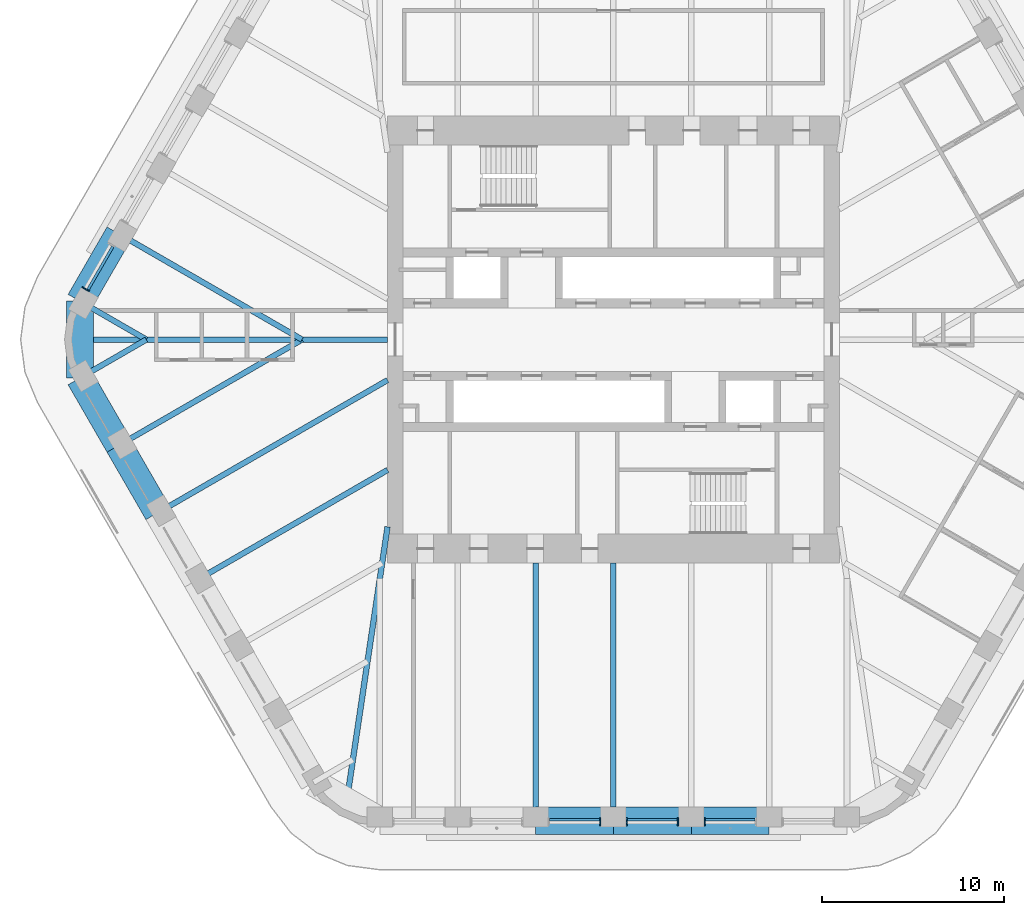
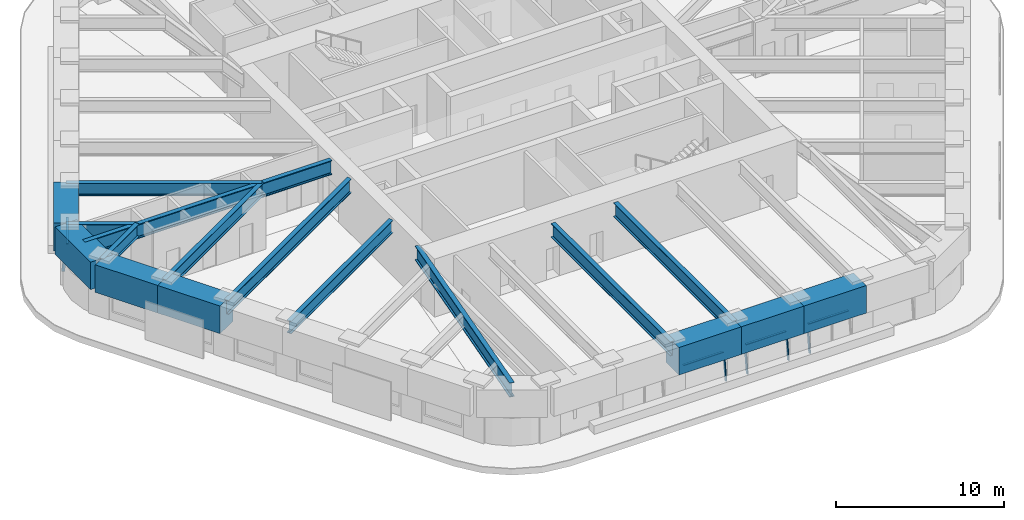
# One storey, part 3 of 18: 17 beams, 9 members, 4 elements without a shape of their own.
"""IFC4 building model written with IfcOpenShell, lengths in metres."""

import ifcopenshell
import ifcopenshell.guid

model = None  # the IFC model being written
_history = None  # IfcOwnerHistory: only IFC2X3 demands one
_inside = {}  # id of a spatial element -> (the spatial element, [elements in it])
_under = {}  # id of a project, library or spatial element -> (it, [spatial elements below it])
_declared = {}  # id of a project -> (the project, [libraries it declares])
_typed = {}  # id of a type object -> (the type object, [elements of that type])
_made_of = {}  # id of a material, layer set ... -> (it, [elements and type objects made of it])


def new_model(schema):
    """Start an empty IFC model of exactly this schema.

    Asked for "IFC4X3", IfcOpenShell would pick the latest addendum, in which some entities
    have other attributes; the version numbers below select the first issue.
    IFC2X3 requires an IfcOwnerHistory on every rooted entity: one is made here for all.
    """
    global model, _history
    if schema == "IFC4X3":
        model = ifcopenshell.file(schema_version=(4, 3, 0, 0))
    else:
        model = ifcopenshell.file(schema=schema)
    _inside.clear()
    _under.clear()
    _declared.clear()
    _typed.clear()
    _made_of.clear()
    _history = None
    if model.schema == "IFC2X3":
        org = make("IfcOrganization", Name="unknown")
        user = make(
            "IfcPersonAndOrganization",
            ThePerson=make("IfcPerson", FamilyName="unknown"),
            TheOrganization=org,
        )
        app = make(
            "IfcApplication",
            ApplicationDeveloper=org,
            Version="unknown",
            ApplicationFullName="unknown",
            ApplicationIdentifier="unknown",
        )
        _history = make(
            "IfcOwnerHistory",
            OwningUser=user,
            OwningApplication=app,
            ChangeAction="ADDED",
            CreationDate=0,
        )
    return model


def make(cls, **values):
    """One entity of the class cls with the attributes given. An attribute that is None is left unset."""
    return model.create_entity(
        cls, **{name: value for name, value in values.items() if value is not None}
    )


def rooted(cls, **values):
    """An entity with a GlobalId (a new one), such as an element, a storey or a relation."""
    return make(cls, GlobalId=ifcopenshell.guid.new(), OwnerHistory=_history, **values)


def si_unit(unit_type, name, prefix=None):
    """IfcSIUnit, for example si_unit("LENGTHUNIT", "METRE", prefix="MILLI")."""
    return make("IfcSIUnit", UnitType=unit_type, Prefix=prefix, Name=name)


def assignment(units):
    """IfcUnitAssignment: the units of a project."""
    return None if units is None else make("IfcUnitAssignment", Units=units)


def point(xyz):
    """IfcCartesianPoint."""
    return None if xyz is None else make("IfcCartesianPoint", Coordinates=xyz)


def direction(xyz):
    """IfcDirection."""
    return None if xyz is None else make("IfcDirection", DirectionRatios=xyz)


def frame(location, z_axis=None, x_axis=None):
    """IfcAxis2Placement3D, a coordinate frame: its origin and axes. An axis left out is left unset."""
    return make(
        "IfcAxis2Placement3D",
        Location=point(location),
        Axis=direction(z_axis),
        RefDirection=direction(x_axis),
    )


def frame_2d(location, x_axis=None):
    """IfcAxis2Placement2D, a coordinate frame in the plane: its origin and x axis."""
    return make(
        "IfcAxis2Placement2D", Location=point(location), RefDirection=direction(x_axis)
    )


def origin():
    """The frame at (0, 0, 0) with its axes left unset."""
    return frame((0.0, 0.0, 0.0))


def origin_2d():
    """The frame at (0, 0) in the plane with its x axis left unset."""
    return frame_2d((0.0, 0.0))


def place(relative_to, where):
    """IfcLocalPlacement: puts the frame where relative to a parent placement (None: the world)."""
    return make(
        "IfcLocalPlacement", PlacementRelTo=relative_to, RelativePlacement=where
    )


def context(
    kind, dimensions, precision=None, world=None, true_north=None, identifier=None
):
    """IfcGeometricRepresentationContext, for example the 3D "Model" context."""
    return make(
        "IfcGeometricRepresentationContext",
        ContextIdentifier=identifier,
        ContextType=kind,
        CoordinateSpaceDimension=dimensions,
        Precision=precision,
        WorldCoordinateSystem=world,
        TrueNorth=true_north,
    )


def subcontext(parent, identifier, kind, view, scale=None):
    """IfcGeometricRepresentationSubContext, for example "Body" below "Model"."""
    return make(
        "IfcGeometricRepresentationSubContext",
        ContextIdentifier=identifier,
        ContextType=kind,
        ParentContext=parent,
        TargetScale=scale,
        TargetView=view,
    )


def project(units=None, contexts=None):
    """IfcProject with its units and contexts."""
    return rooted(
        "IfcProject",
        Name="project",
        RepresentationContexts=contexts,
        UnitsInContext=assignment(units),
    )


def spatial(cls, under=None, at=None, **own):
    """A site, building, storey or space (cls), placed at a placement, below another one or the project."""
    s = rooted(cls, ObjectPlacement=at, **own)
    if under is not None:
        _under.setdefault(under.id(), (under, []))[1].append(s)
    return s


def profile(cls, at=None, kind="AREA", **sizes):
    """A parametric profile (cls). Its sizes go by their IFC names, for example OverallWidth=200.0."""
    return make(cls, ProfileType=kind, Position=at, **sizes)


def rectangle(**sizes):
    """IfcRectangleProfileDef."""
    return profile("IfcRectangleProfileDef", **sizes)


def i_section(**sizes):
    """IfcIShapeProfileDef."""
    return profile("IfcIShapeProfileDef", **sizes)


def extrude(swept, where, along, depth):
    """IfcExtrudedAreaSolid: the profile swept, set in the frame where, extruded along a direction by depth."""
    return make(
        "IfcExtrudedAreaSolid",
        SweptArea=swept,
        Position=where,
        ExtrudedDirection=direction(along),
        Depth=depth,
    )


def shape(context_of_items, identifier, shape_type, items):
    """IfcShapeRepresentation: the items that make up one representation, for example the "Body"."""
    return make(
        "IfcShapeRepresentation",
        ContextOfItems=context_of_items,
        RepresentationIdentifier=identifier,
        RepresentationType=shape_type,
        Items=items,
    )


def material(Name=None, Category=None):
    """IfcMaterial."""
    return make("IfcMaterial", Name=Name, Category=Category)


def material_profile(
    of_material, cross_section, Name=None, Category=None, Priority=None
):
    """IfcMaterialProfile: a cross section and its material."""
    return make(
        "IfcMaterialProfile",
        Name=Name,
        Material=of_material,
        Profile=cross_section,
        Priority=Priority,
        Category=Category,
    )


def profile_set(profiles, Name=None, composite=None):
    """IfcMaterialProfileSet."""
    return make(
        "IfcMaterialProfileSet",
        Name=Name,
        MaterialProfiles=profiles,
        CompositeProfile=composite,
    )


def made_of(thing, what):
    """Note that an element or type object is made of a material, layer set ...; save() writes the relation."""
    if what is not None:
        _made_of.setdefault(what.id(), (what, []))[1].append(thing)
    return thing


def type_object(cls, material=None, **own):
    """A type object (cls), such as IfcWallType, which elements share."""
    return made_of(rooted(cls, **own), material)


def element(
    cls,
    number,
    at=None,
    inside=None,
    cuts=None,
    type_object=None,
    material=None,
    context=None,
    identifier="Body",
    shape_type=None,
    held_by="IfcProductDefinitionShape",
    body=None,
    shapes=None,
    **own,
):
    """One element of the class cls, such as IfcWall. Its Tag is "e" and its number.

    at: its placement. inside: the storey or other place that contains it. cuts: it is an
    opening in that element (IfcRelVoidsElement). A single representation is given by context,
    identifier, shape_type and body (its items); several are given by shapes. held_by: the class
    of the entity that holds the representations. save() writes the other relations.
    """
    e = rooted(cls, Tag="e%d" % number, ObjectPlacement=at, **own)
    if body is not None:
        shapes = [shape(context, identifier, shape_type, body)]
    if shapes is not None:
        e.Representation = make(held_by, Representations=shapes)
    if inside is not None:
        _inside.setdefault(inside.id(), (inside, []))[1].append(e)
    if cuts is not None:
        rooted(
            "IfcRelVoidsElement", RelatingBuildingElement=cuts, RelatedOpeningElement=e
        )
    if type_object is not None:
        _typed.setdefault(type_object.id(), (type_object, []))[1].append(e)
    return made_of(e, material)


def aggregate(whole, parts):
    """IfcRelAggregates: a whole, such as a stair, and the parts it consists of."""
    return rooted("IfcRelAggregates", RelatingObject=whole, RelatedObjects=parts)


def save(model, path):
    """Write the relations noted so far, then the file.

    IfcRelAggregates (storeys below a building ...), IfcRelContainedInSpatialStructure (elements
    in a storey), IfcRelDefinesByType, IfcRelAssociatesMaterial and IfcRelDeclares: one each for
    every whole, place, type object, material and project.
    """
    for whole, parts in _under.values():
        aggregate(whole, parts)
    for where, things in _inside.values():
        rooted(
            "IfcRelContainedInSpatialStructure",
            RelatedElements=things,
            RelatingStructure=where,
        )
    for kind, things in _typed.values():
        rooted("IfcRelDefinesByType", RelatedObjects=things, RelatingType=kind)
    for what, things in _made_of.values():
        rooted("IfcRelAssociatesMaterial", RelatedObjects=things, RelatingMaterial=what)
    for by, libraries in _declared.values():
        rooted("IfcRelDeclares", RelatingContext=by, RelatedDefinitions=libraries)
    model.write(path)


model = new_model("IFC4")

# Units and contexts
model_context = context("Model", 3, precision=1e-05, world=origin(), true_north=direction((0.0, 1.0)))
body_context = subcontext(model_context, "Body", "Model", "MODEL_VIEW")
ifc_project = project(units=[si_unit("LENGTHUNIT", "METRE"), si_unit("AREAUNIT", "SQUARE_METRE"), si_unit("VOLUMEUNIT", "CUBIC_METRE"), si_unit("PLANEANGLEUNIT", "RADIAN"), si_unit("MASSUNIT", "GRAM", prefix="KILO")], contexts=[model_context])

# Site, building, storey
site_placement = place(None, origin())
site = spatial("IfcSite", under=ifc_project, at=site_placement, CompositionType="ELEMENT")
building_placement = place(site_placement, origin())
building = spatial("IfcBuilding", under=site, at=building_placement, Name="Tarfa Lantern Tower", CompositionType="ELEMENT")
storey_placement = place(building_placement, frame((0.0, 0.0, 319.89990234375)))
storey = spatial("IfcBuildingStorey", under=building, at=storey_placement, Name="L72", CompositionType="ELEMENT", Elevation=319.89990234375)

# Curtain wall, member
ifc_material_1 = material(Name="Aluminium framed curtain wall", Category="aluminium")
curtain_wall_type = type_object("IfcCurtainWallType", Name="CW4 CANTED GLAZING EXECUTIVE ZONE 2000", PredefinedType="USERDEFINED", material=ifc_material_1)
curtain_wall_1_placement = place(storey_placement, origin())
curtain_wall_1 = element("IfcCurtainWall", 1, at=curtain_wall_1_placement, inside=storey, type_object=curtain_wall_type, Name="CW4 NW L72", ObjectType="CURTAIN WALL", PredefinedType="USERDEFINED")
ifc_material_2 = material(Name="Aluminium mullion", Category="aluminium")
ifc_material_profile_1 = material_profile(ifc_material_2, rectangle(XDim=0.06494140625, YDim=0.199951171875, at=origin_2d()), Name="AL MULLION 65x200")
ifc_profile_set_1 = profile_set([ifc_material_profile_1], Name="Aluminium mullion")
member_type_1 = type_object("IfcMemberType", Name="CWM1 MULLION 65x200", PredefinedType="MULLION", material=ifc_profile_set_1)
member_1_placement = place(storey_placement, frame((-29.13623046875, 2.83447265625, 0.0), z_axis=(0.107320246625, -0.062018020623, 0.992288329964), x_axis=(0.500342721131, 0.865827443207, 0.0)))
member_1 = element("IfcMember", 2, at=member_1_placement, type_object=member_type_1, Name="CW4 mullion 2", PredefinedType="MULLION", context=body_context, shape_type="SweptSolid", body=[
    extrude(rectangle(XDim=0.06494140625, YDim=0.199951171875, at=origin_2d()), origin(), (0.0, 0.0, 1.0), 2.015625),
])

curtain_wall_2_placement = place(storey_placement, origin())
curtain_wall_2 = element("IfcCurtainWall", 3, at=curtain_wall_2_placement, inside=storey, type_object=curtain_wall_type, Name="CW4 S L72", ObjectType="CURTAIN WALL", PredefinedType="USERDEFINED")
member_2_placement = place(storey_placement, frame((-0.732421875, -26.64990234375, 0.0), z_axis=(0.0, 0.124034734589, 0.992277876714), x_axis=(-1.0, 0.0, 0.0)))
member_2 = element("IfcMember", 4, at=member_2_placement, type_object=member_type_1, Name="CW4 mullion 2", PredefinedType="MULLION", context=body_context, shape_type="SweptSolid", body=[
    extrude(rectangle(XDim=0.06494140625, YDim=0.199951171875, at=origin_2d()), origin(), (0.0, 0.0, 1.0), 2.015625),
])

# Curtain wall, members
curtain_wall_3_placement = place(storey_placement, origin())
curtain_wall_3 = element("IfcCurtainWall", 5, at=curtain_wall_3_placement, inside=storey, type_object=curtain_wall_type, Name="CW4 S L72", ObjectType="CURTAIN WALL", PredefinedType="USERDEFINED")
member_3_placement = place(storey_placement, frame((0.732421875, -26.64990234375, 0.0), z_axis=(0.0, 0.124034734589, 0.992277876714), x_axis=(-1.0, 0.0, 0.0)))
member_3 = element("IfcMember", 6, at=member_3_placement, type_object=member_type_1, Name="CW4 mullion 1", PredefinedType="MULLION", context=body_context, shape_type="SweptSolid", body=[
    extrude(rectangle(XDim=0.06494140625, YDim=0.199951171875, at=origin_2d()), origin(), (0.0, 0.0, 1.0), 2.015625),
])
member_4_placement = place(storey_placement, frame((3.549560546875, -26.64990234375, 0.0), z_axis=(0.0, 0.124034734589, 0.992277876714), x_axis=(-1.0, 0.0, 0.0)))
member_4 = element("IfcMember", 7, at=member_4_placement, type_object=member_type_1, Name="CW4 mullion 2", PredefinedType="MULLION", context=body_context, shape_type="SweptSolid", body=[
    extrude(rectangle(XDim=0.06494140625, YDim=0.199951171875, at=origin_2d()), origin(), (0.0, 0.0, 1.0), 2.015625),
])

# Curtain wall, member
curtain_wall_4_placement = place(storey_placement, origin())
curtain_wall_4 = element("IfcCurtainWall", 8, at=curtain_wall_4_placement, inside=storey, type_object=curtain_wall_type, Name="CW4 S L72", ObjectType="CURTAIN WALL", PredefinedType="USERDEFINED")
member_5_placement = place(storey_placement, frame((5.014404296875, -26.64990234375, 0.0), z_axis=(0.0, 0.124034734589, 0.992277876714), x_axis=(-1.0, 0.0, 0.0)))
member_5 = element("IfcMember", 9, at=member_5_placement, type_object=member_type_1, Name="CW4 mullion 1", PredefinedType="MULLION", context=body_context, shape_type="SweptSolid", body=[
    extrude(rectangle(XDim=0.06494140625, YDim=0.199951171875, at=origin_2d()), origin(), (0.0, 0.0, 1.0), 2.015625),
])

# Member
ifc_material_3 = material(Name="Aluminium transom", Category="aluminium")
ifc_material_profile_2 = material_profile(ifc_material_3, rectangle(XDim=0.14990234375, YDim=0.06494140625, at=origin_2d()), Name="AL TRANSOM 150x65")
ifc_profile_set_2 = profile_set([ifc_material_profile_2], Name="Aluminium transom")
member_type_2 = type_object("IfcMemberType", Name="CWT1 TRANSOM 150x65", PredefinedType="USERDEFINED", material=ifc_profile_set_2)
member_6_placement = place(storey_placement, frame((-27.531005859375, 5.122802734375, 1.967529296875), z_axis=(-0.500060322201, -0.865990573944, 0.0), x_axis=(0.865990573944, -0.500060322201, 0.0)))
member_6 = element("IfcMember", 10, at=member_6_placement, type_object=member_type_2, Name="CW4 transom 1.2", ObjectType="TRANSOM", PredefinedType="USERDEFINED", context=body_context, shape_type="SweptSolid", body=[
    extrude(rectangle(XDim=0.14990234375, YDim=0.06494140625, at=origin_2d()), origin(), (0.0, 0.0, 1.0), 2.752197265625),
])

aggregate(curtain_wall_1, [member_1, member_6])

member_7_placement = place(storey_placement, frame((-3.51708984375, -26.404052734375, 1.967529296875), z_axis=(1.0, 0.0, 0.0), x_axis=(0.0, 1.0, 0.0)))
member_7 = element("IfcMember", 11, at=member_7_placement, type_object=member_type_2, Name="CW4 transom 1.2", ObjectType="TRANSOM", PredefinedType="USERDEFINED", context=body_context, shape_type="SweptSolid", body=[
    extrude(rectangle(XDim=0.14990234375, YDim=0.06494140625, at=origin_2d()), origin(), (0.0, 0.0, 1.0), 2.752197265625),
])

aggregate(curtain_wall_2, [member_2, member_7])

member_8_placement = place(storey_placement, frame((0.764892578125, -26.404052734375, 1.967529296875), z_axis=(1.0, 0.0, 0.0), x_axis=(0.0, 1.0, 0.0)))
member_8 = element("IfcMember", 12, at=member_8_placement, type_object=member_type_2, Name="CW4 transom 1.2", ObjectType="TRANSOM", PredefinedType="USERDEFINED", context=body_context, shape_type="SweptSolid", body=[
    extrude(rectangle(XDim=0.14990234375, YDim=0.06494140625, at=origin_2d()), origin(), (0.0, 0.0, 1.0), 2.752197265625),
])

aggregate(curtain_wall_3, [member_3, member_4, member_8])

member_9_placement = place(storey_placement, frame((5.047119140625, -26.404052734375, 1.967529296875), z_axis=(1.0, 0.0, 0.0), x_axis=(0.0, 1.0, 0.0)))
member_9 = element("IfcMember", 13, at=member_9_placement, type_object=member_type_2, Name="CW4 transom 1.2", ObjectType="TRANSOM", PredefinedType="USERDEFINED", context=body_context, shape_type="SweptSolid", body=[
    extrude(rectangle(XDim=0.14990234375, YDim=0.06494140625, at=origin_2d()), origin(), (0.0, 0.0, 1.0), 2.751953125),
])

aggregate(curtain_wall_4, [member_5, member_9])

# Beams
ifc_material_4 = material(Name="Concrete C80/95", Category="concrete")
ifc_material_profile_3 = material_profile(ifc_material_4, rectangle(XDim=1.5, YDim=2.0, at=origin_2d()), Name="RC 1500x2000")
ifc_profile_set_3 = profile_set([ifc_material_profile_3], Name="Concrete C80/95")
beam_type_1 = type_object("IfcBeamType", Name="RB3 RC 1500x2000", PredefinedType="BEAM", material=ifc_profile_set_3)
beam_1_placement = place(storey_placement, frame((-27.205810546875, 5.818359375, 3.0), z_axis=(-0.499984039138, -0.866034618596, 0.0), x_axis=(0.866034618596, -0.499984039138, 0.0)))
element("IfcBeam", 14, at=beam_1_placement, inside=storey, type_object=beam_type_1, Name="Edge beam NW5", PredefinedType="BEAM", context=body_context, shape_type="SweptSolid", body=[
    extrude(rectangle(XDim=1.5, YDim=2.0, at=origin_2d()), origin(), (0.0, 0.0, 1.0), 4.281982421875),
])
beam_2_placement = place(storey_placement, frame((-29.3466796875, 2.110107421875, 3.0), z_axis=(0.0, -1.0, 0.0), x_axis=(1.0, 0.0, 0.0)))
element("IfcBeam", 15, at=beam_2_placement, inside=storey, type_object=beam_type_1, Name="Edge beam NW6", PredefinedType="BEAM", context=body_context, shape_type="SweptSolid", body=[
    extrude(rectangle(XDim=1.5, YDim=2.0, at=origin_2d()), origin(), (0.0, 0.0, 1.0), 4.22021484375),
])
for number, where, z_axis, x_axis, name in (
    (16, (-29.3466796875, -2.110107421875, 3.0), (0.499984039138, -0.866034618596, 0.0), (0.866034618596, 0.499984039138, 0.0), "Edge beam SW0"),
    (17, (-27.205810546875, -5.818359375, 3.0), (0.500026801138, -0.866009929587, 0.0), (0.866009929587, 0.500026801138, 0.0), "Edge beam SW1"),
    (18, (-4.281982421875, -26.469970703125, 3.0), (1.0, 0.0, 0.0), (0.0, 1.0, 0.0), "Edge beam S2"),
    (19, (0.0, -26.469970703125, 3.0), (1.0, 0.0, 0.0), (0.0, 1.0, 0.0), "Edge beam S3"),
    (20, (4.281982421875, -26.469970703125, 3.0), (1.0, 0.0, 0.0), (0.0, 1.0, 0.0), "Edge beam S4"),
):
    element("IfcBeam", number, at=place(storey_placement, frame(where, z_axis=z_axis, x_axis=x_axis)), inside=storey, type_object=beam_type_1, Name=name, PredefinedType="BEAM", context=body_context, shape_type="SweptSolid", body=[
        extrude(rectangle(XDim=1.5, YDim=2.0, at=origin_2d()), origin(), (0.0, 0.0, 1.0), 4.281982421875),
    ])
ifc_material_5 = material(Name="Steel S460M", Category="steel")
ifc_material_profile_4 = material_profile(ifc_material_5, i_section(OverallWidth=0.302001953125, OverallDepth=1.008056640625, WebThickness=0.02099609375, FlangeThickness=0.0400390625, FilletRadius=0.030029296875, at=origin_2d()), Name="UB1016x305x349")
ifc_profile_set_4 = profile_set([ifc_material_profile_4], Name="Steel S460M")
beam_type_2 = type_object("IfcBeamType", Name="UB1016x305x349", PredefinedType="BEAM", material=ifc_profile_set_4)
beam_3_placement = place(storey_placement, frame((-25.064697265625, -9.526611328125, 3.49609375), z_axis=(0.866029591389, 0.499992746786, 0.0), x_axis=(-0.499992746786, 0.866029591389, 0.0)))
element("IfcBeam", 21, at=beam_3_placement, inside=storey, type_object=beam_type_2, Name="Floor beam SW2", PredefinedType="BEAM", context=body_context, shape_type="SweptSolid", body=[
    extrude(i_section(OverallWidth=0.302001953125, OverallDepth=1.008056640625, WebThickness=0.02099609375, FlangeThickness=0.0400390625, FilletRadius=0.030029296875, at=origin_2d()), origin(), (0.0, 0.0, 1.0), 14.594970703125),
])
for number, where, z_axis, x_axis, name in (
    (22, (-4.281982421875, -26.469970703125, 3.49609375), (0.0, 1.0, 0.0), (-1.0, 0.0, 0.0), "Floor beam S2"),
    (23, (0.0, -26.469970703125, 3.49609375), (0.0, 1.0, 0.0), (-1.0, 0.0, 0.0), "Floor beam S3"),
):
    element("IfcBeam", number, at=place(storey_placement, frame(where, z_axis=z_axis, x_axis=x_axis)), inside=storey, type_object=beam_type_2, Name=name, PredefinedType="BEAM", context=body_context, shape_type="SweptSolid", body=[
        extrude(i_section(OverallWidth=0.302001953125, OverallDepth=1.008056640625, WebThickness=0.02099609375, FlangeThickness=0.0400390625, FilletRadius=0.030029296875, at=origin_2d()), origin(), (0.0, 0.0, 1.0), 14.169921875),
    ])
ifc_material_profile_5 = material_profile(ifc_material_5, i_section(OverallWidth=0.30859375, OverallDepth=1.036376953125, WebThickness=0.030029296875, FlangeThickness=0.05419921875, FilletRadius=0.030029296875, at=origin_2d()), Name="UB1016x305x487")
ifc_profile_set_5 = profile_set([ifc_material_profile_5], Name="Steel S460M")
beam_type_3 = type_object("IfcBeamType", Name="UB1016x305x487", PredefinedType="BEAM", material=ifc_profile_set_5)
beam_4_placement = place(storey_placement, frame((-12.425048828125, 0.0, 3.48193359375), z_axis=(-1.0, 0.0, 0.0), x_axis=(0.0, -1.0, 0.0)))
element("IfcBeam", 24, at=beam_4_placement, inside=storey, type_object=beam_type_3, Name="Hip girder W", PredefinedType="BEAM", context=body_context, shape_type="SweptSolid", body=[
    extrude(i_section(OverallWidth=0.30859375, OverallDepth=1.036376953125, WebThickness=0.030029296875, FlangeThickness=0.05419921875, FilletRadius=0.030029296875, at=origin_2d()), origin(), (0.0, 0.0, 1.0), 16.921630859375),
])
beam_5_placement = place(storey_placement, frame((-12.425048828125, -10.300048828125, 3.48193359375), z_axis=(-0.147127069073, -0.989117599452, 0.0), x_axis=(0.989117599452, -0.147127069073, 0.0)))
element("IfcBeam", 25, at=beam_5_placement, inside=storey, type_object=beam_type_3, Name="Hip girder SW", PredefinedType="BEAM", context=body_context, shape_type="SweptSolid", body=[
    extrude(i_section(OverallWidth=0.30859375, OverallDepth=1.036376953125, WebThickness=0.030029296875, FlangeThickness=0.05419921875, FilletRadius=0.030029296875, at=origin_2d()), origin(), (0.0, 0.0, 1.0), 15.28125),
])
ifc_material_profile_6 = material_profile(ifc_material_5, i_section(OverallWidth=0.305419921875, OverallDepth=0.91845703125, WebThickness=0.017333984375, FlangeThickness=0.02783203125, FilletRadius=0.01904296875, at=origin_2d()), Name="UB914x305x253")
ifc_profile_set_6 = profile_set([ifc_material_profile_6], Name="Steel S460M")
beam_type_4 = type_object("IfcBeamType", Name="UB914x305x253", PredefinedType="BEAM", material=ifc_profile_set_6)
beam_6_placement = place(storey_placement, frame((-27.205810546875, 5.818359375, 3.541015625), z_axis=(0.866024171998, -0.500002133511, 0.0), x_axis=(0.500002133511, 0.866024171998, 0.0)))
element("IfcBeam", 26, at=beam_6_placement, inside=storey, type_object=beam_type_4, Name="Floor beam NW5", PredefinedType="BEAM", context=body_context, shape_type="SweptSolid", body=[
    extrude(i_section(OverallWidth=0.305419921875, OverallDepth=0.91845703125, WebThickness=0.017333984375, FlangeThickness=0.02783203125, FilletRadius=0.01904296875, at=origin_2d()), origin(), (0.0, 0.0, 1.0), 11.63671875),
])
for number, where, z_axis, x_axis, name in (
    (27, (-29.3466796875, 2.110107421875, 3.541015625), (0.866009274789, -0.500027935199, 0.0), (0.500027935199, 0.866009274789, 0.0), "Floor beam NW6"),
    (28, (-29.3466796875, -2.110107421875, 3.541015625), (0.866009274789, 0.500027935199, 0.0), (-0.500027935199, 0.866009274789, 0.0), "Floor beam SW0"),
):
    element("IfcBeam", number, at=place(storey_placement, frame(where, z_axis=z_axis, x_axis=x_axis)), inside=storey, type_object=beam_type_4, Name=name, PredefinedType="BEAM", context=body_context, shape_type="SweptSolid", body=[
        extrude(i_section(OverallWidth=0.305419921875, OverallDepth=0.91845703125, WebThickness=0.017333984375, FlangeThickness=0.02783203125, FilletRadius=0.01904296875, at=origin_2d()), origin(), (0.0, 0.0, 1.0), 4.219970703125),
    ])
beam_7_placement = place(storey_placement, frame((-27.205810546875, -5.818359375, 3.541015625), z_axis=(0.866024171998, 0.500002133511, 0.0), x_axis=(-0.500002133511, 0.866024171998, 0.0)))
element("IfcBeam", 29, at=beam_7_placement, inside=storey, type_object=beam_type_4, Name="Floor beam SW1", PredefinedType="BEAM", context=body_context, shape_type="SweptSolid", body=[
    extrude(i_section(OverallWidth=0.305419921875, OverallDepth=0.91845703125, WebThickness=0.017333984375, FlangeThickness=0.02783203125, FilletRadius=0.01904296875, at=origin_2d()), origin(), (0.0, 0.0, 1.0), 11.63671875),
])
beam_8_placement = place(storey_placement, frame((-22.923583984375, -13.235107421875, 3.541015625), z_axis=(0.86601856927, 0.500011837539, 0.0), x_axis=(-0.500011837539, 0.86601856927, 0.0)))
element("IfcBeam", 30, at=beam_8_placement, inside=storey, type_object=beam_type_4, Name="Floor beam SW3", PredefinedType="BEAM", context=body_context, shape_type="SweptSolid", body=[
    extrude(i_section(OverallWidth=0.305419921875, OverallDepth=0.91845703125, WebThickness=0.017333984375, FlangeThickness=0.02783203125, FilletRadius=0.01904296875, at=origin_2d()), origin(), (0.0, 0.0, 1.0), 12.122802734375),
])

save(model, "model.ifc")
